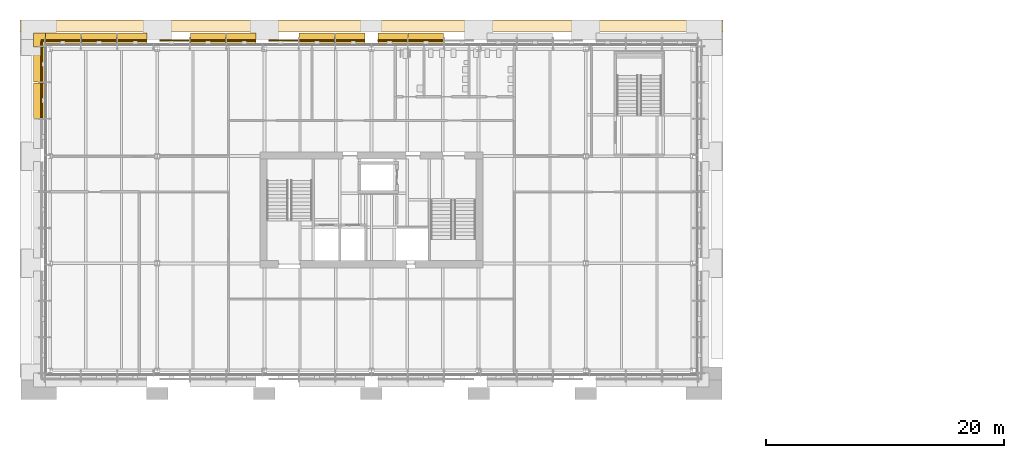
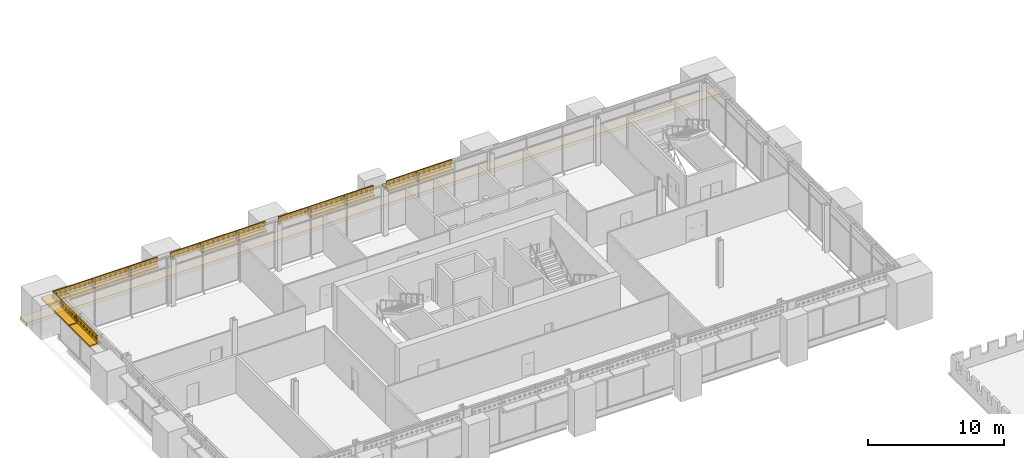
# One storey, part 148 of 153: 25 shading devices, 1 covering.
"""IFC4 building model written with IfcOpenShell, lengths in metres."""

from ifc_helpers import new_model, si_unit, direction, frame, origin, origin_2d, place, context, subcontext, project, spatial, polyline, rectangle, outline, extrude, material, layer, layer_set, type_object, element, save


model = new_model("IFC4")

# Units and contexts
model_context = context("Model", 3, precision=1e-05, world=origin(), true_north=direction((0.0, 1.0)))
body_context = subcontext(model_context, "Body", "Model", "MODEL_VIEW")
ifc_project = project(units=[si_unit("LENGTHUNIT", "METRE"), si_unit("AREAUNIT", "SQUARE_METRE"), si_unit("VOLUMEUNIT", "CUBIC_METRE"), si_unit("PLANEANGLEUNIT", "RADIAN"), si_unit("MASSUNIT", "GRAM", prefix="KILO")], contexts=[model_context])

# Site, building, storey
site_placement = place(None, origin())
site = spatial("IfcSite", under=ifc_project, at=site_placement, CompositionType="ELEMENT")
building_placement = place(site_placement, origin())
building = spatial("IfcBuilding", under=site, at=building_placement, Name="Baradari Gate Terminus", CompositionType="ELEMENT")
storey_placement = place(building_placement, frame((0.0, 0.0, 11.699951171875)))
storey = spatial("IfcBuildingStorey", under=building, at=storey_placement, Name="L02", CompositionType="ELEMENT", Elevation=11.699951171875)

# Shading devices
ifc_material_1 = material(Name="Concrete C40/50 precast", Category="concrete")
ifc_layer_1 = layer(ifc_material_1, 0.14990234375)
ifc_layer_set_1 = layer_set([ifc_layer_1], Name="Concrete C40/50 precast")
shading_device_type_1 = type_object("IfcShadingDeviceType", Name="Chhajja band CJ-1 900x150", PredefinedType="AWNING", material=ifc_layer_set_1)
shading_device_1_placement = place(storey_placement, frame((10.072265625, 144.919921875, 3.33251953125), z_axis=(0.0, 0.0, 1.0), x_axis=(1.0, 0.0, 0.0)))
element("IfcShadingDevice", 1, at=shading_device_1_placement, inside=storey, type_object=shading_device_type_1, Name="Chhajja band CJ-1 L02/TN bay 1", PredefinedType="AWNING", context=body_context, shape_type="SweptSolid", body=[
    extrude(rectangle(XDim=2.939697265625, YDim=0.89990234375, at=origin_2d()), origin(), (0.0, 0.0, 1.0), 0.14990234375),
])
shading_device_2_placement = place(storey_placement, frame((13.1083984375, 144.919921875, 3.33251953125), z_axis=(0.0, 0.0, 1.0), x_axis=(1.0, 0.0, 0.0)))
element("IfcShadingDevice", 2, at=shading_device_2_placement, inside=storey, type_object=shading_device_type_1, Name="Chhajja band CJ-1 L02/TN bay 2", PredefinedType="AWNING", context=body_context, shape_type="SweptSolid", body=[
    extrude(rectangle(XDim=2.97216796875, YDim=0.89990234375, at=origin_2d()), origin(), (0.0, 0.0, 1.0), 0.14990234375),
])
shading_device_3_placement = place(storey_placement, frame((15.905517578125, 144.919921875, 3.33251953125), z_axis=(0.0, 0.0, 1.0), x_axis=(1.0, 0.0, 0.0)))
element("IfcShadingDevice", 3, at=shading_device_3_placement, inside=storey, type_object=shading_device_type_1, Name="Chhajja band CJ-1 L02/TN bay 3", PredefinedType="AWNING", context=body_context, shape_type="SweptSolid", body=[
    extrude(rectangle(XDim=2.462158203125, YDim=0.89990234375, at=origin_2d()), origin(), (0.0, 0.0, 1.0), 0.14990234375),
])
shading_device_4_placement = place(storey_placement, frame((22.264892578125, 144.919921875, 3.33251953125), z_axis=(0.0, 0.0, 1.0), x_axis=(1.0, 0.0, 0.0)))
element("IfcShadingDevice", 4, at=shading_device_4_placement, inside=storey, type_object=shading_device_type_1, Name="Chhajja band CJ-1 L02/TN bay 5", PredefinedType="AWNING", context=body_context, shape_type="SweptSolid", body=[
    extrude(rectangle(XDim=2.97216796875, YDim=0.89990234375, at=origin_2d()), origin(), (0.0, 0.0, 1.0), 0.14990234375),
])
shading_device_5_placement = place(storey_placement, frame((25.062255859375, 144.919921875, 3.33251953125), z_axis=(0.0, 0.0, 1.0), x_axis=(1.0, 0.0, 0.0)))
element("IfcShadingDevice", 5, at=shading_device_5_placement, inside=storey, type_object=shading_device_type_1, Name="Chhajja band CJ-1 L02/TN bay 6", PredefinedType="AWNING", context=body_context, shape_type="SweptSolid", body=[
    extrude(rectangle(XDim=2.462158203125, YDim=0.89990234375, at=origin_2d()), origin(), (0.0, 0.0, 1.0), 0.14990234375),
])
shading_device_6_placement = place(storey_placement, frame((31.421630859375, 144.919921875, 3.33251953125), z_axis=(0.0, 0.0, 1.0), x_axis=(1.0, 0.0, 0.0)))
element("IfcShadingDevice", 6, at=shading_device_6_placement, inside=storey, type_object=shading_device_type_1, Name="Chhajja band CJ-1 L02/TN bay 8", PredefinedType="AWNING", context=body_context, shape_type="SweptSolid", body=[
    extrude(rectangle(XDim=2.97216796875, YDim=0.89990234375, at=origin_2d()), origin(), (0.0, 0.0, 1.0), 0.14990234375),
])
for number, where, z_axis, x_axis, name in (
    (7, (34.218994140625, 144.919921875, 3.33251953125), (0.0, 0.0, 1.0), (1.0, 0.0, 0.0), "Chhajja band CJ-1 L02/TN bay 9"),
    (8, (37.781005859375, 144.919921875, 3.33251953125), (0.0, 0.0, 1.0), (1.0, 0.0, 0.0), "Chhajja band CJ-1 L02/TN bay 10"),
):
    element("IfcShadingDevice", number, at=place(storey_placement, frame(where, z_axis=z_axis, x_axis=x_axis)), inside=storey, type_object=shading_device_type_1, Name=name, PredefinedType="AWNING", context=body_context, shape_type="SweptSolid", body=[
        extrude(rectangle(XDim=2.462158203125, YDim=0.89990234375, at=origin_2d()), origin(), (0.0, 0.0, 1.0), 0.14990234375),
    ])
shading_device_7_placement = place(storey_placement, frame((40.578369140625, 144.919921875, 3.33251953125), z_axis=(0.0, 0.0, 1.0), x_axis=(1.0, 0.0, 0.0)))
element("IfcShadingDevice", 9, at=shading_device_7_placement, inside=storey, type_object=shading_device_type_1, Name="Chhajja band CJ-1 L02/TN bay 11", PredefinedType="AWNING", context=body_context, shape_type="SweptSolid", body=[
    extrude(rectangle(XDim=2.97216796875, YDim=0.89990234375, at=origin_2d()), origin(), (0.0, 0.0, 1.0), 0.14990234375),
])
shading_device_8_placement = place(storey_placement, frame((8.080078125, 139.679931640625, 3.33251953125), z_axis=(0.0, 0.0, 1.0), x_axis=(0.0, 1.0, 0.0)))
element("IfcShadingDevice", 10, at=shading_device_8_placement, inside=storey, type_object=shading_device_type_1, Name="Chhajja band CJ-1 L02/TW bay 8", PredefinedType="AWNING", context=body_context, shape_type="SweptSolid", body=[
    extrude(rectangle(XDim=2.97998046875, YDim=0.89990234375, at=origin_2d()), origin(), (0.0, 0.0, 1.0), 0.14990234375),
])
shading_device_9_placement = place(storey_placement, frame((8.080078125, 142.7236328125, 3.33251953125), z_axis=(0.0, 0.0, 1.0), x_axis=(0.0, 1.0, 0.0)))
element("IfcShadingDevice", 11, at=shading_device_9_placement, inside=storey, type_object=shading_device_type_1, Name="Chhajja band CJ-1 L02/TW bay 9", PredefinedType="AWNING", context=body_context, shape_type="SweptSolid", body=[
    extrude(rectangle(XDim=2.947509765625, YDim=0.89990234375, at=origin_2d()), origin(), (0.0, 0.0, 1.0), 0.14990234375),
])
shading_device_10_placement = place(storey_placement, frame((0.0, 0.0, 3.33251953125)))
element("IfcShadingDevice", 12, at=shading_device_10_placement, inside=storey, type_object=shading_device_type_1, Name="Chhajja band CJ-1 L02/NW corner", PredefinedType="AWNING", context=body_context, shape_type="SweptSolid", body=[
    extrude(outline(polyline([(7.6298828125, 144.197509765625), (8.530029296875, 144.197509765625), (8.530029296875, 144.469970703125), (8.6025390625, 144.469970703125), (8.6025390625, 145.3701171875), (7.6298828125, 145.3701171875), (7.6298828125, 144.197509765625)])), origin(), (0.0, 0.0, 1.0), 0.150146484375),
])

# Covering
ifc_material_2 = material(Name="Sandstone cladding", Category="masonry")
ifc_layer_2 = layer(ifc_material_2, 0.300048828125)
ifc_layer_set_2 = layer_set([ifc_layer_2], Name="Sandstone cladding")
covering_type = type_object("IfcCoveringType", Name="Cornice band CB-1 300", PredefinedType="CLADDING", material=ifc_layer_set_2)
covering_placement = place(storey_placement, frame((36.0, 145.949951171875, 1.2001953125), z_axis=(0.0, 0.0, 1.0), x_axis=(1.0, 0.0, 0.0)))
element("IfcCovering", 13, at=covering_placement, inside=storey, type_object=covering_type, Name="Operations block arcade cornice north", PredefinedType="CLADDING", context=body_context, shape_type="SweptSolid", body=[
    extrude(rectangle(XDim=59.050048828125, YDim=0.949951171875, at=origin_2d()), origin(), (0.0, 0.0, 1.0), 0.300048828125),
])

# Shading devices
ifc_material_3 = material(Name="Concrete C50/60 precast", Category="concrete")
ifc_layer_3 = layer(ifc_material_3, 0.10009765625)
ifc_layer_set_3 = layer_set([ifc_layer_3], Name="Concrete C50/60 precast")
shading_device_type_2 = type_object("IfcShadingDeviceType", Name="Jali screen panel JS-1 100", PredefinedType="SHUTTER", material=ifc_layer_set_3)
shading_device_11_placement = place(storey_placement, frame((8.262451171875, 144.719970703125, 3.583740234375), z_axis=(0.0, 0.0, 1.0), x_axis=(1.0, 0.0, 0.0)))
element("IfcShadingDevice", 14, at=shading_device_11_placement, inside=storey, type_object=shading_device_type_2, Name="Jali screen panel JS-1 L02/TN bay 1", PredefinedType="SHUTTER", context=body_context, shape_type="SweptSolid", body=[
    extrude(outline(polyline([(0.0, 0.0), (3.2998046875, 0.0), (3.2998046875, 0.60009765625), (0.0, 0.60009765625), (0.0, 0.0)]), holes=[polyline([(0.336181640625, 0.300048828125), (0.271240234375, 0.1875), (0.14111328125, 0.1875), (0.076171875, 0.300048828125), (0.14111328125, 0.41259765625), (0.271240234375, 0.41259765625), (0.336181640625, 0.300048828125)]), polyline([(0.748779296875, 0.300048828125), (0.68359375, 0.1875), (0.5537109375, 0.1875), (0.48876953125, 0.300048828125), (0.5537109375, 0.41259765625), (0.68359375, 0.41259765625), (0.748779296875, 0.300048828125)]), polyline([(1.1611328125, 0.300048828125), (1.09619140625, 0.1875), (0.966064453125, 0.1875), (0.901123046875, 0.300048828125), (0.966064453125, 0.41259765625), (1.09619140625, 0.41259765625), (1.1611328125, 0.300048828125)]), polyline([(1.57373046875, 0.300048828125), (1.508544921875, 0.1875), (1.378662109375, 0.1875), (1.313720703125, 0.300048828125), (1.378662109375, 0.41259765625), (1.508544921875, 0.41259765625), (1.57373046875, 0.300048828125)]), polyline([(1.986083984375, 0.300048828125), (1.921142578125, 0.1875), (1.791015625, 0.1875), (1.72607421875, 0.300048828125), (1.791015625, 0.41259765625), (1.921142578125, 0.41259765625), (1.986083984375, 0.300048828125)]), polyline([(2.3984375, 0.300048828125), (2.33349609375, 0.1875), (2.20361328125, 0.1875), (2.138671875, 0.300048828125), (2.20361328125, 0.41259765625), (2.33349609375, 0.41259765625), (2.3984375, 0.300048828125)]), polyline([(2.81103515625, 0.300048828125), (2.74609375, 0.1875), (2.615966796875, 0.1875), (2.551025390625, 0.300048828125), (2.615966796875, 0.41259765625), (2.74609375, 0.41259765625), (2.81103515625, 0.300048828125)]), polyline([(3.223388671875, 0.300048828125), (3.158447265625, 0.1875), (3.028564453125, 0.1875), (2.96337890625, 0.300048828125), (3.028564453125, 0.41259765625), (3.158447265625, 0.41259765625), (3.223388671875, 0.300048828125)])]), frame((0.0, 0.050048828125, 0.0), z_axis=(0.0, -1.0, 0.0), x_axis=(1.0, 0.0, 0.0)), (0.0, 0.0, 1.0), 0.10009765625),
])
shading_device_12_placement = place(storey_placement, frame((11.602294921875, 144.719970703125, 3.583740234375), z_axis=(0.0, 0.0, 1.0), x_axis=(1.0, 0.0, 0.0)))
element("IfcShadingDevice", 15, at=shading_device_12_placement, inside=storey, type_object=shading_device_type_2, Name="Jali screen panel JS-1 L02/TN bay 2", PredefinedType="SHUTTER", context=body_context, shape_type="SweptSolid", body=[
    extrude(outline(polyline([(0.0, 0.0), (3.01220703125, 0.0), (3.01220703125, 0.60009765625), (0.0, 0.60009765625), (0.0, 0.0)]), holes=[polyline([(0.34521484375, 0.300048828125), (0.2802734375, 0.1875), (0.150146484375, 0.1875), (0.085205078125, 0.300048828125), (0.150146484375, 0.41259765625), (0.2802734375, 0.41259765625), (0.34521484375, 0.300048828125)]), polyline([(0.775390625, 0.300048828125), (0.71044921875, 0.1875), (0.58056640625, 0.1875), (0.515380859375, 0.300048828125), (0.58056640625, 0.41259765625), (0.71044921875, 0.41259765625), (0.775390625, 0.300048828125)]), polyline([(1.205810546875, 0.300048828125), (1.140869140625, 0.1875), (1.0107421875, 0.1875), (0.94580078125, 0.300048828125), (1.0107421875, 0.41259765625), (1.140869140625, 0.41259765625), (1.205810546875, 0.300048828125)]), polyline([(1.63623046875, 0.300048828125), (1.571044921875, 0.1875), (1.441162109375, 0.1875), (1.376220703125, 0.300048828125), (1.441162109375, 0.41259765625), (1.571044921875, 0.41259765625), (1.63623046875, 0.300048828125)]), polyline([(2.06640625, 0.300048828125), (2.00146484375, 0.1875), (1.871337890625, 0.1875), (1.806396484375, 0.300048828125), (1.871337890625, 0.41259765625), (2.00146484375, 0.41259765625), (2.06640625, 0.300048828125)]), polyline([(2.496826171875, 0.300048828125), (2.431640625, 0.1875), (2.3017578125, 0.1875), (2.23681640625, 0.300048828125), (2.3017578125, 0.41259765625), (2.431640625, 0.41259765625), (2.496826171875, 0.300048828125)]), polyline([(2.927001953125, 0.300048828125), (2.862060546875, 0.1875), (2.732177734375, 0.1875), (2.6669921875, 0.300048828125), (2.732177734375, 0.41259765625), (2.862060546875, 0.41259765625), (2.927001953125, 0.300048828125)])]), frame((0.0, 0.050048828125, 0.0), z_axis=(0.0, -1.0, 0.0), x_axis=(1.0, 0.0, 0.0)), (0.0, 0.0, 1.0), 0.10009765625),
])
shading_device_13_placement = place(storey_placement, frame((14.654541015625, 144.719970703125, 3.583740234375), z_axis=(0.0, 0.0, 1.0), x_axis=(1.0, 0.0, 0.0)))
element("IfcShadingDevice", 16, at=shading_device_13_placement, inside=storey, type_object=shading_device_type_2, Name="Jali screen panel JS-1 L02/TN bay 3", PredefinedType="SHUTTER", context=body_context, shape_type="SweptSolid", body=[
    extrude(outline(polyline([(0.0, 0.0), (2.482177734375, 0.0), (2.482177734375, 0.60009765625), (0.0, 0.60009765625), (0.0, 0.0)]), holes=[polyline([(0.3369140625, 0.300048828125), (0.27197265625, 0.1875), (0.141845703125, 0.1875), (0.076904296875, 0.300048828125), (0.141845703125, 0.41259765625), (0.27197265625, 0.41259765625), (0.3369140625, 0.300048828125)]), polyline([(0.75048828125, 0.300048828125), (0.685546875, 0.1875), (0.5556640625, 0.1875), (0.490478515625, 0.300048828125), (0.5556640625, 0.41259765625), (0.685546875, 0.41259765625), (0.75048828125, 0.300048828125)]), polyline([(1.164306640625, 0.300048828125), (1.099365234375, 0.1875), (0.96923828125, 0.1875), (0.904296875, 0.300048828125), (0.96923828125, 0.41259765625), (1.099365234375, 0.41259765625), (1.164306640625, 0.300048828125)]), polyline([(1.577880859375, 0.300048828125), (1.512939453125, 0.1875), (1.383056640625, 0.1875), (1.31787109375, 0.300048828125), (1.383056640625, 0.41259765625), (1.512939453125, 0.41259765625), (1.577880859375, 0.300048828125)]), polyline([(1.99169921875, 0.300048828125), (1.9267578125, 0.1875), (1.796630859375, 0.1875), (1.731689453125, 0.300048828125), (1.796630859375, 0.41259765625), (1.9267578125, 0.41259765625), (1.99169921875, 0.300048828125)]), polyline([(2.4052734375, 0.300048828125), (2.34033203125, 0.1875), (2.21044921875, 0.1875), (2.145263671875, 0.300048828125), (2.21044921875, 0.41259765625), (2.34033203125, 0.41259765625), (2.4052734375, 0.300048828125)])]), frame((0.0, 0.050048828125, 0.0), z_axis=(0.0, -1.0, 0.0), x_axis=(1.0, 0.0, 0.0)), (0.0, 0.0, 1.0), 0.10009765625),
])
shading_device_14_placement = place(storey_placement, frame((18.236572265625, 144.719970703125, 3.583740234375), z_axis=(0.0, 0.0, 1.0), x_axis=(1.0, 0.0, 0.0)))
element("IfcShadingDevice", 17, at=shading_device_14_placement, inside=storey, type_object=shading_device_type_2, Name="Jali screen panel JS-1 L02/TN bay 4", PredefinedType="SHUTTER", context=body_context, shape_type="SweptSolid", body=[
    extrude(outline(polyline([(0.0, 0.0), (2.482421875, 0.0), (2.482421875, 0.60009765625), (0.0, 0.60009765625), (0.0, 0.0)]), holes=[polyline([(0.3369140625, 0.300048828125), (0.27197265625, 0.1875), (0.141845703125, 0.1875), (0.076904296875, 0.300048828125), (0.141845703125, 0.41259765625), (0.27197265625, 0.41259765625), (0.3369140625, 0.300048828125)]), polyline([(0.75048828125, 0.300048828125), (0.685546875, 0.1875), (0.5556640625, 0.1875), (0.490478515625, 0.300048828125), (0.5556640625, 0.41259765625), (0.685546875, 0.41259765625), (0.75048828125, 0.300048828125)]), polyline([(1.164306640625, 0.300048828125), (1.099365234375, 0.1875), (0.96923828125, 0.1875), (0.904296875, 0.300048828125), (0.96923828125, 0.41259765625), (1.099365234375, 0.41259765625), (1.164306640625, 0.300048828125)]), polyline([(1.577880859375, 0.300048828125), (1.512939453125, 0.1875), (1.383056640625, 0.1875), (1.31787109375, 0.300048828125), (1.383056640625, 0.41259765625), (1.512939453125, 0.41259765625), (1.577880859375, 0.300048828125)]), polyline([(1.99169921875, 0.300048828125), (1.9267578125, 0.1875), (1.796630859375, 0.1875), (1.731689453125, 0.300048828125), (1.796630859375, 0.41259765625), (1.9267578125, 0.41259765625), (1.99169921875, 0.300048828125)]), polyline([(2.4052734375, 0.300048828125), (2.34033203125, 0.1875), (2.21044921875, 0.1875), (2.145263671875, 0.300048828125), (2.21044921875, 0.41259765625), (2.34033203125, 0.41259765625), (2.4052734375, 0.300048828125)])]), frame((0.0, 0.050048828125, 0.0), z_axis=(0.0, -1.0, 0.0), x_axis=(1.0, 0.0, 0.0)), (0.0, 0.0, 1.0), 0.10009765625),
])
shading_device_15_placement = place(storey_placement, frame((20.7587890625, 144.719970703125, 3.583740234375), z_axis=(0.0, 0.0, 1.0), x_axis=(1.0, 0.0, 0.0)))
element("IfcShadingDevice", 18, at=shading_device_15_placement, inside=storey, type_object=shading_device_type_2, Name="Jali screen panel JS-1 L02/TN bay 5", PredefinedType="SHUTTER", context=body_context, shape_type="SweptSolid", body=[
    extrude(outline(polyline([(0.0, 0.0), (3.01220703125, 0.0), (3.01220703125, 0.60009765625), (0.0, 0.60009765625), (0.0, 0.0)]), holes=[polyline([(0.34521484375, 0.300048828125), (0.2802734375, 0.1875), (0.150146484375, 0.1875), (0.085205078125, 0.300048828125), (0.150146484375, 0.41259765625), (0.2802734375, 0.41259765625), (0.34521484375, 0.300048828125)]), polyline([(0.775390625, 0.300048828125), (0.71044921875, 0.1875), (0.58056640625, 0.1875), (0.515380859375, 0.300048828125), (0.58056640625, 0.41259765625), (0.71044921875, 0.41259765625), (0.775390625, 0.300048828125)]), polyline([(1.205810546875, 0.300048828125), (1.140869140625, 0.1875), (1.0107421875, 0.1875), (0.94580078125, 0.300048828125), (1.0107421875, 0.41259765625), (1.140869140625, 0.41259765625), (1.205810546875, 0.300048828125)]), polyline([(1.63623046875, 0.300048828125), (1.571044921875, 0.1875), (1.441162109375, 0.1875), (1.376220703125, 0.300048828125), (1.441162109375, 0.41259765625), (1.571044921875, 0.41259765625), (1.63623046875, 0.300048828125)]), polyline([(2.06640625, 0.300048828125), (2.00146484375, 0.1875), (1.871337890625, 0.1875), (1.806396484375, 0.300048828125), (1.871337890625, 0.41259765625), (2.00146484375, 0.41259765625), (2.06640625, 0.300048828125)]), polyline([(2.496826171875, 0.300048828125), (2.431640625, 0.1875), (2.3017578125, 0.1875), (2.23681640625, 0.300048828125), (2.3017578125, 0.41259765625), (2.431640625, 0.41259765625), (2.496826171875, 0.300048828125)]), polyline([(2.927001953125, 0.300048828125), (2.862060546875, 0.1875), (2.732177734375, 0.1875), (2.6669921875, 0.300048828125), (2.732177734375, 0.41259765625), (2.862060546875, 0.41259765625), (2.927001953125, 0.300048828125)])]), frame((0.0, 0.050048828125, 0.0), z_axis=(0.0, -1.0, 0.0), x_axis=(1.0, 0.0, 0.0)), (0.0, 0.0, 1.0), 0.10009765625),
])
for number, where, z_axis, x_axis, name in (
    (19, (23.81103515625, 144.719970703125, 3.583740234375), (0.0, 0.0, 1.0), (1.0, 0.0, 0.0), "Jali screen panel JS-1 L02/TN bay 6"),
    (20, (27.393310546875, 144.719970703125, 3.583740234375), (0.0, 0.0, 1.0), (1.0, 0.0, 0.0), "Jali screen panel JS-1 L02/TN bay 7"),
):
    element("IfcShadingDevice", number, at=place(storey_placement, frame(where, z_axis=z_axis, x_axis=x_axis)), inside=storey, type_object=shading_device_type_2, Name=name, PredefinedType="SHUTTER", context=body_context, shape_type="SweptSolid", body=[
        extrude(outline(polyline([(0.0, 0.0), (2.482177734375, 0.0), (2.482177734375, 0.60009765625), (0.0, 0.60009765625), (0.0, 0.0)]), holes=[polyline([(0.3369140625, 0.300048828125), (0.27197265625, 0.1875), (0.141845703125, 0.1875), (0.076904296875, 0.300048828125), (0.141845703125, 0.41259765625), (0.27197265625, 0.41259765625), (0.3369140625, 0.300048828125)]), polyline([(0.75048828125, 0.300048828125), (0.685546875, 0.1875), (0.5556640625, 0.1875), (0.490478515625, 0.300048828125), (0.5556640625, 0.41259765625), (0.685546875, 0.41259765625), (0.75048828125, 0.300048828125)]), polyline([(1.164306640625, 0.300048828125), (1.099365234375, 0.1875), (0.96923828125, 0.1875), (0.904296875, 0.300048828125), (0.96923828125, 0.41259765625), (1.099365234375, 0.41259765625), (1.164306640625, 0.300048828125)]), polyline([(1.577880859375, 0.300048828125), (1.512939453125, 0.1875), (1.383056640625, 0.1875), (1.31787109375, 0.300048828125), (1.383056640625, 0.41259765625), (1.512939453125, 0.41259765625), (1.577880859375, 0.300048828125)]), polyline([(1.99169921875, 0.300048828125), (1.9267578125, 0.1875), (1.796630859375, 0.1875), (1.731689453125, 0.300048828125), (1.796630859375, 0.41259765625), (1.9267578125, 0.41259765625), (1.99169921875, 0.300048828125)]), polyline([(2.4052734375, 0.300048828125), (2.34033203125, 0.1875), (2.21044921875, 0.1875), (2.145263671875, 0.300048828125), (2.21044921875, 0.41259765625), (2.34033203125, 0.41259765625), (2.4052734375, 0.300048828125)])]), frame((0.0, 0.050048828125, 0.0), z_axis=(0.0, -1.0, 0.0), x_axis=(1.0, 0.0, 0.0)), (0.0, 0.0, 1.0), 0.10009765625),
    ])
shading_device_16_placement = place(storey_placement, frame((29.91552734375, 144.719970703125, 3.583740234375), z_axis=(0.0, 0.0, 1.0), x_axis=(1.0, 0.0, 0.0)))
element("IfcShadingDevice", 21, at=shading_device_16_placement, inside=storey, type_object=shading_device_type_2, Name="Jali screen panel JS-1 L02/TN bay 8", PredefinedType="SHUTTER", context=body_context, shape_type="SweptSolid", body=[
    extrude(outline(polyline([(0.0, 0.0), (3.01220703125, 0.0), (3.01220703125, 0.60009765625), (0.0, 0.60009765625), (0.0, 0.0)]), holes=[polyline([(0.34521484375, 0.300048828125), (0.2802734375, 0.1875), (0.150146484375, 0.1875), (0.085205078125, 0.300048828125), (0.150146484375, 0.41259765625), (0.2802734375, 0.41259765625), (0.34521484375, 0.300048828125)]), polyline([(0.775390625, 0.300048828125), (0.71044921875, 0.1875), (0.58056640625, 0.1875), (0.515380859375, 0.300048828125), (0.58056640625, 0.41259765625), (0.71044921875, 0.41259765625), (0.775390625, 0.300048828125)]), polyline([(1.205810546875, 0.300048828125), (1.140869140625, 0.1875), (1.0107421875, 0.1875), (0.94580078125, 0.300048828125), (1.0107421875, 0.41259765625), (1.140869140625, 0.41259765625), (1.205810546875, 0.300048828125)]), polyline([(1.63623046875, 0.300048828125), (1.571044921875, 0.1875), (1.441162109375, 0.1875), (1.376220703125, 0.300048828125), (1.441162109375, 0.41259765625), (1.571044921875, 0.41259765625), (1.63623046875, 0.300048828125)]), polyline([(2.06640625, 0.300048828125), (2.00146484375, 0.1875), (1.871337890625, 0.1875), (1.806396484375, 0.300048828125), (1.871337890625, 0.41259765625), (2.00146484375, 0.41259765625), (2.06640625, 0.300048828125)]), polyline([(2.496826171875, 0.300048828125), (2.431640625, 0.1875), (2.3017578125, 0.1875), (2.23681640625, 0.300048828125), (2.3017578125, 0.41259765625), (2.431640625, 0.41259765625), (2.496826171875, 0.300048828125)]), polyline([(2.927001953125, 0.300048828125), (2.862060546875, 0.1875), (2.732177734375, 0.1875), (2.6669921875, 0.300048828125), (2.732177734375, 0.41259765625), (2.862060546875, 0.41259765625), (2.927001953125, 0.300048828125)])]), frame((0.0, 0.050048828125, 0.0), z_axis=(0.0, -1.0, 0.0), x_axis=(1.0, 0.0, 0.0)), (0.0, 0.0, 1.0), 0.10009765625),
])
for number, where, z_axis, x_axis, name in (
    (22, (32.9677734375, 144.719970703125, 3.583740234375), (0.0, 0.0, 1.0), (1.0, 0.0, 0.0), "Jali screen panel JS-1 L02/TN bay 9"),
    (23, (36.550048828125, 144.719970703125, 3.583740234375), (0.0, 0.0, 1.0), (1.0, 0.0, 0.0), "Jali screen panel JS-1 L02/TN bay 10"),
):
    element("IfcShadingDevice", number, at=place(storey_placement, frame(where, z_axis=z_axis, x_axis=x_axis)), inside=storey, type_object=shading_device_type_2, Name=name, PredefinedType="SHUTTER", context=body_context, shape_type="SweptSolid", body=[
        extrude(outline(polyline([(0.0, 0.0), (2.482177734375, 0.0), (2.482177734375, 0.60009765625), (0.0, 0.60009765625), (0.0, 0.0)]), holes=[polyline([(0.3369140625, 0.300048828125), (0.27197265625, 0.1875), (0.141845703125, 0.1875), (0.076904296875, 0.300048828125), (0.141845703125, 0.41259765625), (0.27197265625, 0.41259765625), (0.3369140625, 0.300048828125)]), polyline([(0.75048828125, 0.300048828125), (0.685546875, 0.1875), (0.5556640625, 0.1875), (0.490478515625, 0.300048828125), (0.5556640625, 0.41259765625), (0.685546875, 0.41259765625), (0.75048828125, 0.300048828125)]), polyline([(1.164306640625, 0.300048828125), (1.099365234375, 0.1875), (0.96923828125, 0.1875), (0.904296875, 0.300048828125), (0.96923828125, 0.41259765625), (1.099365234375, 0.41259765625), (1.164306640625, 0.300048828125)]), polyline([(1.577880859375, 0.300048828125), (1.512939453125, 0.1875), (1.383056640625, 0.1875), (1.31787109375, 0.300048828125), (1.383056640625, 0.41259765625), (1.512939453125, 0.41259765625), (1.577880859375, 0.300048828125)]), polyline([(1.99169921875, 0.300048828125), (1.9267578125, 0.1875), (1.796630859375, 0.1875), (1.731689453125, 0.300048828125), (1.796630859375, 0.41259765625), (1.9267578125, 0.41259765625), (1.99169921875, 0.300048828125)]), polyline([(2.4052734375, 0.300048828125), (2.34033203125, 0.1875), (2.21044921875, 0.1875), (2.145263671875, 0.300048828125), (2.21044921875, 0.41259765625), (2.34033203125, 0.41259765625), (2.4052734375, 0.300048828125)])]), frame((0.0, 0.050048828125, 0.0), z_axis=(0.0, -1.0, 0.0), x_axis=(1.0, 0.0, 0.0)), (0.0, 0.0, 1.0), 0.10009765625),
    ])
shading_device_17_placement = place(storey_placement, frame((39.072265625, 144.719970703125, 3.583740234375), z_axis=(0.0, 0.0, 1.0), x_axis=(1.0, 0.0, 0.0)))
element("IfcShadingDevice", 24, at=shading_device_17_placement, inside=storey, type_object=shading_device_type_2, Name="Jali screen panel JS-1 L02/TN bay 11", PredefinedType="SHUTTER", context=body_context, shape_type="SweptSolid", body=[
    extrude(outline(polyline([(0.0, 0.0), (3.01220703125, 0.0), (3.01220703125, 0.60009765625), (0.0, 0.60009765625), (0.0, 0.0)]), holes=[polyline([(0.34521484375, 0.300048828125), (0.2802734375, 0.1875), (0.150146484375, 0.1875), (0.085205078125, 0.300048828125), (0.150146484375, 0.41259765625), (0.2802734375, 0.41259765625), (0.34521484375, 0.300048828125)]), polyline([(0.775390625, 0.300048828125), (0.71044921875, 0.1875), (0.58056640625, 0.1875), (0.515380859375, 0.300048828125), (0.58056640625, 0.41259765625), (0.71044921875, 0.41259765625), (0.775390625, 0.300048828125)]), polyline([(1.205810546875, 0.300048828125), (1.140869140625, 0.1875), (1.0107421875, 0.1875), (0.94580078125, 0.300048828125), (1.0107421875, 0.41259765625), (1.140869140625, 0.41259765625), (1.205810546875, 0.300048828125)]), polyline([(1.63623046875, 0.300048828125), (1.571044921875, 0.1875), (1.441162109375, 0.1875), (1.376220703125, 0.300048828125), (1.441162109375, 0.41259765625), (1.571044921875, 0.41259765625), (1.63623046875, 0.300048828125)]), polyline([(2.06640625, 0.300048828125), (2.00146484375, 0.1875), (1.871337890625, 0.1875), (1.806396484375, 0.300048828125), (1.871337890625, 0.41259765625), (2.00146484375, 0.41259765625), (2.06640625, 0.300048828125)]), polyline([(2.496826171875, 0.300048828125), (2.431640625, 0.1875), (2.3017578125, 0.1875), (2.23681640625, 0.300048828125), (2.3017578125, 0.41259765625), (2.431640625, 0.41259765625), (2.496826171875, 0.300048828125)]), polyline([(2.927001953125, 0.300048828125), (2.862060546875, 0.1875), (2.732177734375, 0.1875), (2.6669921875, 0.300048828125), (2.732177734375, 0.41259765625), (2.862060546875, 0.41259765625), (2.927001953125, 0.300048828125)])]), frame((0.0, 0.050048828125, 0.0), z_axis=(0.0, -1.0, 0.0), x_axis=(1.0, 0.0, 0.0)), (0.0, 0.0, 1.0), 0.10009765625),
])
shading_device_18_placement = place(storey_placement, frame((8.280029296875, 138.169921875, 3.583740234375), z_axis=(0.0, 0.0, 1.0), x_axis=(0.0, 1.0, 0.0)))
element("IfcShadingDevice", 25, at=shading_device_18_placement, inside=storey, type_object=shading_device_type_2, Name="Jali screen panel JS-1 L02/TW bay 8", PredefinedType="SHUTTER", context=body_context, shape_type="SweptSolid", body=[
    extrude(outline(polyline([(0.0, 0.0), (3.02001953125, 0.0), (3.02001953125, 0.60009765625), (0.0, 0.60009765625), (0.0, 0.0)]), holes=[polyline([(0.345703125, 0.300048828125), (0.28076171875, 0.1875), (0.150634765625, 0.1875), (0.085693359375, 0.300048828125), (0.150634765625, 0.41259765625), (0.28076171875, 0.41259765625), (0.345703125, 0.300048828125)]), polyline([(0.777099609375, 0.300048828125), (0.712158203125, 0.1875), (0.58203125, 0.1875), (0.51708984375, 0.300048828125), (0.58203125, 0.41259765625), (0.712158203125, 0.41259765625), (0.777099609375, 0.300048828125)]), polyline([(1.20849609375, 0.300048828125), (1.1435546875, 0.1875), (1.013671875, 0.1875), (0.948486328125, 0.300048828125), (1.013671875, 0.41259765625), (1.1435546875, 0.41259765625), (1.20849609375, 0.300048828125)]), polyline([(1.639892578125, 0.300048828125), (1.574951171875, 0.1875), (1.445068359375, 0.1875), (1.3798828125, 0.300048828125), (1.445068359375, 0.41259765625), (1.574951171875, 0.41259765625), (1.639892578125, 0.300048828125)]), polyline([(2.071533203125, 0.300048828125), (2.00634765625, 0.1875), (1.87646484375, 0.1875), (1.8115234375, 0.300048828125), (1.87646484375, 0.41259765625), (2.00634765625, 0.41259765625), (2.071533203125, 0.300048828125)]), polyline([(2.5029296875, 0.300048828125), (2.437744140625, 0.1875), (2.307861328125, 0.1875), (2.242919921875, 0.300048828125), (2.307861328125, 0.41259765625), (2.437744140625, 0.41259765625), (2.5029296875, 0.300048828125)]), polyline([(2.934326171875, 0.300048828125), (2.869384765625, 0.1875), (2.7392578125, 0.1875), (2.67431640625, 0.300048828125), (2.7392578125, 0.41259765625), (2.869384765625, 0.41259765625), (2.934326171875, 0.300048828125)])]), frame((0.0, 0.050048828125, 0.0), z_axis=(0.0, -1.0, 0.0), x_axis=(1.0, 0.0, 0.0)), (0.0, 0.0, 1.0), 0.10009765625),
])
shading_device_19_placement = place(storey_placement, frame((8.280029296875, 141.22998046875, 3.583740234375), z_axis=(0.0, 0.0, 1.0), x_axis=(0.0, 1.0, 0.0)))
element("IfcShadingDevice", 26, at=shading_device_19_placement, inside=storey, type_object=shading_device_type_2, Name="Jali screen panel JS-1 L02/TW bay 9", PredefinedType="SHUTTER", context=body_context, shape_type="SweptSolid", body=[
    extrude(outline(polyline([(0.0, 0.0), (3.407470703125, 0.0), (3.407470703125, 0.60009765625), (0.0, 0.60009765625), (0.0, 0.0)]), holes=[polyline([(0.343017578125, 0.300048828125), (0.278076171875, 0.1875), (0.14794921875, 0.1875), (0.0830078125, 0.300048828125), (0.14794921875, 0.41259765625), (0.278076171875, 0.41259765625), (0.343017578125, 0.300048828125)]), polyline([(0.768798828125, 0.300048828125), (0.703857421875, 0.1875), (0.573974609375, 0.1875), (0.5087890625, 0.300048828125), (0.573974609375, 0.41259765625), (0.703857421875, 0.41259765625), (0.768798828125, 0.300048828125)]), polyline([(1.19482421875, 0.300048828125), (1.1298828125, 0.1875), (0.999755859375, 0.1875), (0.934814453125, 0.300048828125), (0.999755859375, 0.41259765625), (1.1298828125, 0.41259765625), (1.19482421875, 0.300048828125)]), polyline([(1.620849609375, 0.300048828125), (1.5556640625, 0.1875), (1.42578125, 0.1875), (1.36083984375, 0.300048828125), (1.42578125, 0.41259765625), (1.5556640625, 0.41259765625), (1.620849609375, 0.300048828125)]), polyline([(2.046630859375, 0.300048828125), (1.981689453125, 0.1875), (1.851806640625, 0.1875), (1.78662109375, 0.300048828125), (1.851806640625, 0.41259765625), (1.981689453125, 0.41259765625), (2.046630859375, 0.300048828125)]), polyline([(2.47265625, 0.300048828125), (2.40771484375, 0.1875), (2.277587890625, 0.1875), (2.212646484375, 0.300048828125), (2.277587890625, 0.41259765625), (2.40771484375, 0.41259765625), (2.47265625, 0.300048828125)]), polyline([(2.898681640625, 0.300048828125), (2.83349609375, 0.1875), (2.70361328125, 0.1875), (2.638671875, 0.300048828125), (2.70361328125, 0.41259765625), (2.83349609375, 0.41259765625), (2.898681640625, 0.300048828125)]), polyline([(3.324462890625, 0.300048828125), (3.259521484375, 0.1875), (3.129638671875, 0.1875), (3.064453125, 0.300048828125), (3.129638671875, 0.41259765625), (3.259521484375, 0.41259765625), (3.324462890625, 0.300048828125)])]), frame((0.0, 0.050048828125, 0.0), z_axis=(0.0, -1.0, 0.0), x_axis=(1.0, 0.0, 0.0)), (0.0, 0.0, 1.0), 0.10009765625),
])

save(model, "model.ifc")
